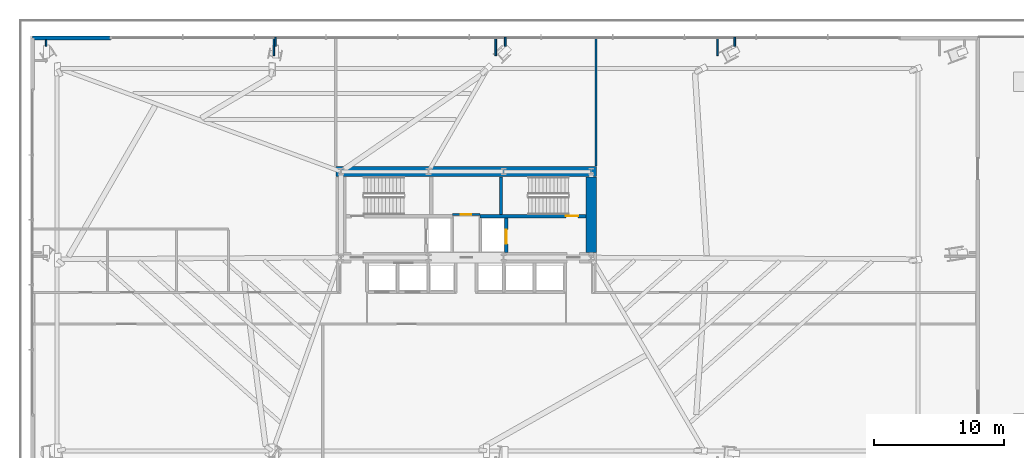
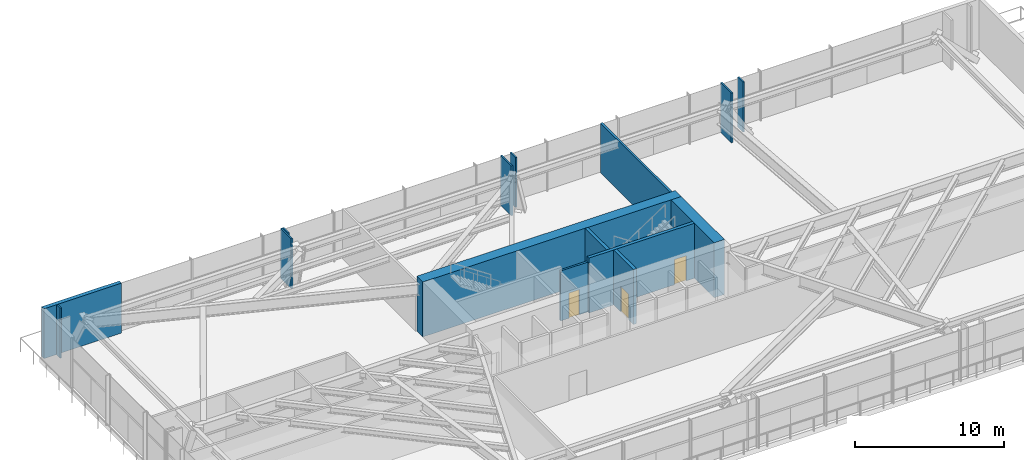
# One storey, part 26 of 33: 15 walls, 3 doors, 3 openings.
"""IFC4 building model written with IfcOpenShell, lengths in metres."""

from ifc_helpers import new_model, si_unit, direction, frame, frame_2d, origin, place, context, subcontext, project, spatial, rectangle, extrude, source, transform, mapped, material, layer, layer_set, type_object, type_shapes, element, fill, save


model = new_model("IFC4")

# Units and contexts
model_context = context("Model", 3, precision=1e-05, world=origin(), true_north=direction((0.0, 1.0)))
body_context = subcontext(model_context, "Body", "Model", "MODEL_VIEW")
ifc_project = project(units=[si_unit("LENGTHUNIT", "METRE"), si_unit("AREAUNIT", "SQUARE_METRE"), si_unit("VOLUMEUNIT", "CUBIC_METRE"), si_unit("PLANEANGLEUNIT", "RADIAN"), si_unit("MASSUNIT", "GRAM", prefix="KILO")], contexts=[model_context])

# Site, building, storey
site_placement = place(None, origin())
site = spatial("IfcSite", under=ifc_project, at=site_placement, CompositionType="ELEMENT")
building_placement = place(site_placement, origin())
building = spatial("IfcBuilding", under=site, at=building_placement, Name="Astriad Promenade Condominiums", CompositionType="ELEMENT")
storey_placement = place(building_placement, frame((0.0, 0.0, 9.5)))
storey = spatial("IfcBuildingStorey", under=building, at=storey_placement, Name="L02", CompositionType="ELEMENT", Elevation=9.5)

# Walls
ifc_material_1 = material(Name="Concrete C80/95", Category="concrete")
ifc_layer_1 = layer(ifc_material_1, 0.800048828125)
ifc_layer_set_1 = layer_set([ifc_layer_1], Name="Concrete C80/95")
wall_type_1 = type_object("IfcWallType", Name="CW-SHEAR-800", PredefinedType="SHEAR", material=ifc_layer_set_1)
wall_1_placement = place(storey_placement, frame((26.0, 24.0, 0.0), z_axis=(0.0, 0.0, 1.0), x_axis=(1.0, 0.0, 0.0)))
element("IfcWall", 1, at=wall_1_placement, inside=storey, type_object=wall_type_1, Name="CW-CORE-N-L02", PredefinedType="SHEAR", context=body_context, shape_type="SweptSolid", body=[
    extrude(rectangle(XDim=20.0, YDim=0.800048828125, at=frame_2d((10.0, 0.0))), origin(), (0.0, 0.0, 1.0), 4.5),
])
wall_2_placement = place(storey_placement, frame((45.60009765625, 17.802001953125, 0.0), z_axis=(0.0, 0.0, 1.0), x_axis=(0.0, 1.0, 0.0)))
element("IfcWall", 2, at=wall_2_placement, inside=storey, type_object=wall_type_1, Name="CW-CORE-E-L02", PredefinedType="SHEAR", context=body_context, shape_type="SweptSolid", body=[
    extrude(rectangle(XDim=5.7958984375, YDim=0.800048828125, at=frame_2d((2.89794921875, 0.0))), origin(), (0.0, 0.0, 1.0), 4.5),
])

# Wall, opening, door
ifc_material_2 = material(Name="Concrete C50/60", Category="concrete")
ifc_layer_2 = layer(ifc_material_2, 0.25)
ifc_layer_set_2 = layer_set([ifc_layer_2], Name="Concrete C50/60")
wall_type_2 = type_object("IfcWallType", Name="WALL-CORE-INT-250", PredefinedType="SOLIDWALL", material=ifc_layer_set_2)
wall_3_placement = place(storey_placement, frame((37.050048828125, 20.574951171875, 0.0), z_axis=(0.0, 0.0, 1.0), x_axis=(1.0, 0.0, 0.0)))
wall_3 = element("IfcWall", 3, at=wall_3_placement, inside=storey, type_object=wall_type_2, Name="CW-INT-H2-L02", PredefinedType="SOLIDWALL", context=body_context, shape_type="SweptSolid", body=[
    extrude(rectangle(XDim=8.14794921875, YDim=0.25, at=frame_2d((4.073974609375, 0.0))), origin(), (0.0, 0.0, 1.0), 4.5),
])
opening_1_placement = place(wall_3_placement, frame((6.60009765625, 0.0, 0.0)))
opening_1 = element("IfcOpeningElement", 4, at=opening_1_placement, cuts=wall_3, Name="Opening FD90-ST-095", PredefinedType="OPENING", context=body_context, shape_type="SweptSolid", body=[
    extrude(rectangle(XDim=0.949951171875, YDim=2.06005859375, at=frame_2d((0.47509765625, 1.030029296875))), frame((0.0, 0.135009765625, 0.0), z_axis=(0.0, -1.0, 0.0), x_axis=(1.0, 0.0, 0.0)), (0.0, 0.0, 1.0), 0.27001953125),
])
ifc_material_3 = material(Name="Fire-Rated Hollow Metal Stair Door")
door_type_1 = type_object("IfcDoorType", Name="FD90-ST-095", OperationType="NOTDEFINED", PredefinedType="DOOR", material=ifc_material_3)
shared_shape_1 = source(origin(), body_context, "Body", "SweptSolid", [
    extrude(rectangle(XDim=0.949951171875, YDim=2.06005859375, at=frame_2d((0.47509765625, 1.030029296875))), frame((0.0, 0.02490234375, 0.0), z_axis=(0.0, -1.0, 0.0), x_axis=(1.0, 0.0, 0.0)), (0.0, 0.0, 1.0), 0.050048828125),
])
type_shapes(door_type_1, [shared_shape_1])
door_1_placement = place(opening_1_placement, origin())
door_1 = element("IfcDoor", 5, at=door_1_placement, inside=storey, type_object=door_type_1, Name="D-ST2-L02", OperationType="SINGLE_SWING_RIGHT", OverallHeight=2.06005859375, OverallWidth=0.949951171875, PredefinedType="DOOR", context=body_context, shape_type="MappedRepresentation", body=[
    mapped(shared_shape_1, transform((0.0, 0.0, 0.0), scale=1.0)),
])
fill(opening_1, door_1)

# Wall
wall_4_placement = place(storey_placement, frame((38.675048828125, 20.701904296875, 0.0), z_axis=(0.0, 0.0, 1.0), x_axis=(0.0, 1.0, 0.0)))
element("IfcWall", 6, at=wall_4_placement, inside=storey, type_object=wall_type_2, Name="CW-ST2-W-L02", PredefinedType="SOLIDWALL", context=body_context, shape_type="SweptSolid", body=[
    extrude(rectangle(XDim=2.89599609375, YDim=0.25, at=frame_2d((1.447998046875, 0.0))), origin(), (0.0, 0.0, 1.0), 4.5),
])

# Wall, opening, door
wall_5_placement = place(storey_placement, frame((39.074951171875, 17.802001953125, 0.0), z_axis=(0.0, 0.0, 1.0), x_axis=(0.0, 1.0, 0.0)))
wall_5 = element("IfcWall", 7, at=wall_5_placement, inside=storey, type_object=wall_type_2, Name="CW-FFL2-E-L02", PredefinedType="SOLIDWALL", context=body_context, shape_type="SweptSolid", body=[
    extrude(rectangle(XDim=2.64599609375, YDim=0.25, at=frame_2d((1.322998046875, 0.0))), origin(), (0.0, 0.0, 1.0), 4.5),
])
opening_2_placement = place(wall_5_placement, frame((0.64794921875, 0.0, 0.0)))
opening_2 = element("IfcOpeningElement", 8, at=opening_2_placement, cuts=wall_5, Name="Opening LD-FFL-1122", PredefinedType="OPENING", context=body_context, shape_type="SweptSolid", body=[
    extrude(rectangle(XDim=1.10009765625, YDim=2.080078125, at=frame_2d((0.550048828125, 1.0400390625))), frame((0.0, 0.135009765625, 0.0), z_axis=(0.0, -1.0, 0.0), x_axis=(1.0, 0.0, 0.0)), (0.0, 0.0, 1.0), 0.27001953125),
])
ifc_material_4 = material(Name="Brushed Stainless Steel Fire Elevator Landing Door", Category="steel")
door_type_2 = type_object("IfcDoorType", Name="LD-FFL-1122", OperationType="NOTDEFINED", PredefinedType="DOOR", material=ifc_material_4)
shared_shape_2 = source(origin(), body_context, "Body", "SweptSolid", [
    extrude(rectangle(XDim=1.10009765625, YDim=2.080078125, at=frame_2d((0.550048828125, 1.0400390625))), frame((0.0, 0.02490234375, 0.0), z_axis=(0.0, -1.0, 0.0), x_axis=(1.0, 0.0, 0.0)), (0.0, 0.0, 1.0), 0.050048828125),
])
type_shapes(door_type_2, [shared_shape_2])
door_2_placement = place(opening_2_placement, origin())
door_2 = element("IfcDoor", 9, at=door_2_placement, inside=storey, type_object=door_type_2, Name="Elevator Landing Door FFL-2 (L02)", OperationType="SLIDING_TO_RIGHT", OverallHeight=2.080078125, OverallWidth=1.10009765625, PredefinedType="DOOR", context=body_context, shape_type="MappedRepresentation", body=[
    mapped(shared_shape_2, transform((0.0, 0.0, 0.0), scale=1.0)),
])
fill(opening_2, door_2)

ifc_material_5 = material(Name="Fire-Rated Gypsum Partition")
ifc_layer_3 = layer(ifc_material_5, 0.159912109375)
ifc_layer_set_3 = layer_set([ifc_layer_3], Name="Fire-Rated Gypsum Partition")
wall_type_3 = type_object("IfcWallType", Name="WALL-CORR-160", PredefinedType="PARTITIONING", material=ifc_layer_set_3)
wall_6_placement = place(storey_placement, frame((34.949951171875, 20.68994140625, 0.0), z_axis=(0.0, 0.0, 1.0), x_axis=(1.0, 0.0, 0.0)))
wall_6 = element("IfcWall", 10, at=wall_6_placement, inside=storey, type_object=wall_type_3, Name="CW-AUX-S-L02", PredefinedType="PARTITIONING", context=body_context, shape_type="SweptSolid", body=[
    extrude(rectangle(XDim=2.10009765625, YDim=0.159912109375, at=frame_2d((1.050048828125, 0.0))), origin(), (0.0, 0.0, 1.0), 4.080078125),
])
opening_3_placement = place(wall_6_placement, frame((0.64990234375, 0.0, 0.0)))
opening_3 = element("IfcOpeningElement", 11, at=opening_3_placement, cuts=wall_6, Name="Opening FD60-SV-080", PredefinedType="OPENING", context=body_context, shape_type="SweptSolid", body=[
    extrude(rectangle(XDim=0.800048828125, YDim=2.050048828125, at=frame_2d((0.39990234375, 1.02490234375))), frame((0.0, 0.08984375, 0.0), z_axis=(0.0, -1.0, 0.0), x_axis=(1.0, 0.0, 0.0)), (0.0, 0.0, 1.0), 0.179931640625),
])
ifc_material_6 = material(Name="Fire-Rated Riser Closet Door")
door_type_3 = type_object("IfcDoorType", Name="FD60-SV-080", OperationType="NOTDEFINED", PredefinedType="DOOR", material=ifc_material_6)
shared_shape_3 = source(origin(), body_context, "Body", "SweptSolid", [
    extrude(rectangle(XDim=0.800048828125, YDim=2.050048828125, at=frame_2d((0.39990234375, 1.02490234375))), frame((0.0, 0.02490234375, 0.0), z_axis=(0.0, -1.0, 0.0), x_axis=(1.0, 0.0, 0.0)), (0.0, 0.0, 1.0), 0.050048828125),
])
type_shapes(door_type_3, [shared_shape_3])
door_3_placement = place(opening_3_placement, origin())
door_3 = element("IfcDoor", 12, at=door_3_placement, inside=storey, type_object=door_type_3, Name="D-AUX1-L02", OperationType="SINGLE_SWING_LEFT", OverallHeight=2.050048828125, OverallWidth=0.800048828125, PredefinedType="DOOR", context=body_context, shape_type="MappedRepresentation", body=[
    mapped(shared_shape_3, transform((0.0, 0.0, 0.0), scale=1.0)),
])
fill(opening_3, door_3)

# Walls
wall_7_placement = place(storey_placement, frame((45.97998046875, 24.419921875, 0.0), z_axis=(0.0, 0.0, 1.0), x_axis=(0.0, 1.0, 0.0)))
element("IfcWall", 13, at=wall_7_placement, inside=storey, type_object=wall_type_3, Name="PT-L02-ESE", PredefinedType="PARTITIONING", context=body_context, shape_type="SweptSolid", body=[
    extrude(rectangle(XDim=9.830078125, YDim=0.159912109375, at=frame_2d((4.9150390625, 0.0))), origin(), (0.0, 0.0, 1.0), 4.080078125),
])
ifc_material_7 = material(Name="Precast concrete C50/60", Category="concrete")
ifc_layer_4 = layer(ifc_material_7, 0.300048828125)
ifc_layer_set_4 = layer_set([ifc_layer_4], Name="Precast concrete C50/60")
wall_type_4 = type_object("IfcWallType", Name="WALL-EXT-POD-300", PredefinedType="STANDARD", material=ifc_layer_set_4)
wall_8_placement = place(storey_placement, frame((2.75, 34.25, 0.0), z_axis=(0.0, 0.0, 1.0), x_axis=(1.0, 0.0, 0.0)))
element("IfcWall", 14, at=wall_8_placement, inside=storey, type_object=wall_type_4, Name="W-EXT-L02-N1", PredefinedType="STANDARD", context=body_context, shape_type="SweptSolid", body=[
    extrude(rectangle(XDim=6.0, YDim=0.300048828125, at=frame_2d((3.0, 0.0))), origin(), (0.0, 0.0, 1.0), 4.080078125),
])
ifc_material_8 = material(Name="Acoustic Metal-Stud Gypsum Partition")
ifc_layer_5 = layer(ifc_material_8, 0.1201171875)
ifc_layer_set_5 = layer_set([ifc_layer_5], Name="Acoustic Metal-Stud Gypsum Partition")
wall_type_5 = type_object("IfcWallType", Name="WALL-PART-120", PredefinedType="PARTITIONING", material=ifc_layer_set_5)
for number, where, z_axis, x_axis, name in (
    (15, (21.25244140625, 32.89990234375, 0.0), (0.0, 0.0, 1.0), (0.0, 1.0, 0.0), "PT-PIL-L02-PC07-14"),
    (16, (38.27490234375, 32.89990234375, 0.0), (0.0, 0.0, 1.0), (0.0, 1.0, 0.0), "PT-PIL-L02-PC08-15"),
    (17, (55.297607421875, 32.89990234375, 0.0), (0.0, 0.0, 1.0), (0.0, 1.0, 0.0), "PT-PIL-L02-PC09-16"),
):
    element("IfcWall", number, at=place(storey_placement, frame(where, z_axis=z_axis, x_axis=x_axis)), inside=storey, type_object=wall_type_5, Name=name, PredefinedType="PARTITIONING", context=body_context, shape_type="SweptSolid", body=[
        extrude(rectangle(XDim=1.420166015625, YDim=0.1201171875, at=frame_2d((0.7099609375, 0.0))), origin(), (0.0, 0.0, 1.0), 4.080078125),
    ])
wall_9_placement = place(storey_placement, frame((3.780029296875, 33.60009765625, 0.0), z_axis=(0.0, 0.0, 1.0), x_axis=(0.0, 1.0, 0.0)))
element("IfcWall", 18, at=wall_9_placement, inside=storey, type_object=wall_type_5, Name="PT-PIL-L02-PC06-25", PredefinedType="PARTITIONING", context=body_context, shape_type="SweptSolid", body=[
    extrude(rectangle(XDim=0.497802734375, YDim=0.1201171875, at=frame_2d((0.2490234375, 0.0))), origin(), (0.0, 0.0, 1.0), 4.080078125),
])
for number, where, z_axis, x_axis, name in (
    (19, (21.389892578125, 33.60009765625, 0.0), (0.0, 0.0, 1.0), (0.0, 1.0, 0.0), "PT-PIL-L02-PC07-26"),
    (20, (39.0, 33.60009765625, 0.0), (0.0, 0.0, 1.0), (0.0, 1.0, 0.0), "PT-PIL-L02-PC08-27"),
    (21, (56.610107421875, 33.60009765625, 0.0), (0.0, 0.0, 1.0), (0.0, 1.0, 0.0), "PT-PIL-L02-PC09-28"),
):
    element("IfcWall", number, at=place(storey_placement, frame(where, z_axis=z_axis, x_axis=x_axis)), inside=storey, type_object=wall_type_5, Name=name, PredefinedType="PARTITIONING", context=body_context, shape_type="SweptSolid", body=[
        extrude(rectangle(XDim=0.719970703125, YDim=0.1201171875, at=frame_2d((0.35986328125, 0.0))), origin(), (0.0, 0.0, 1.0), 4.080078125),
    ])

save(model, "model.ifc")
